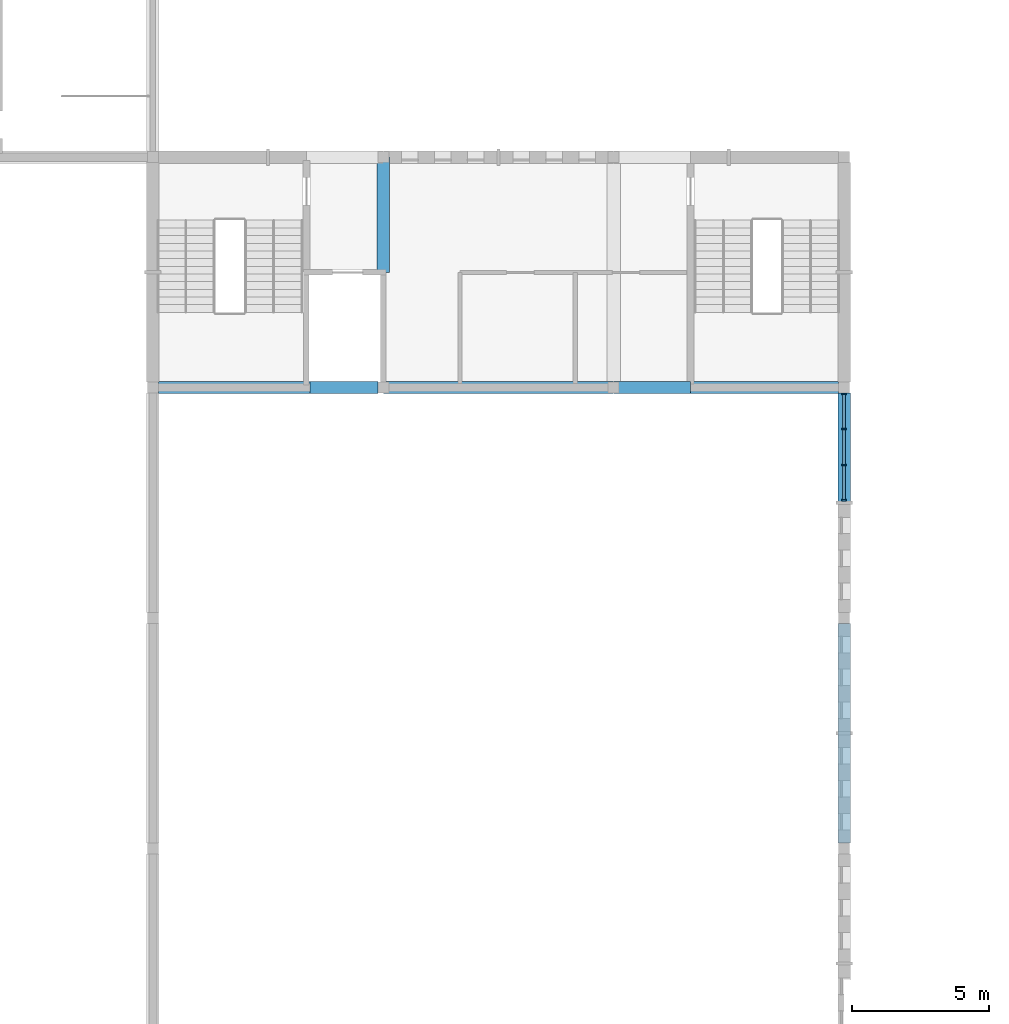
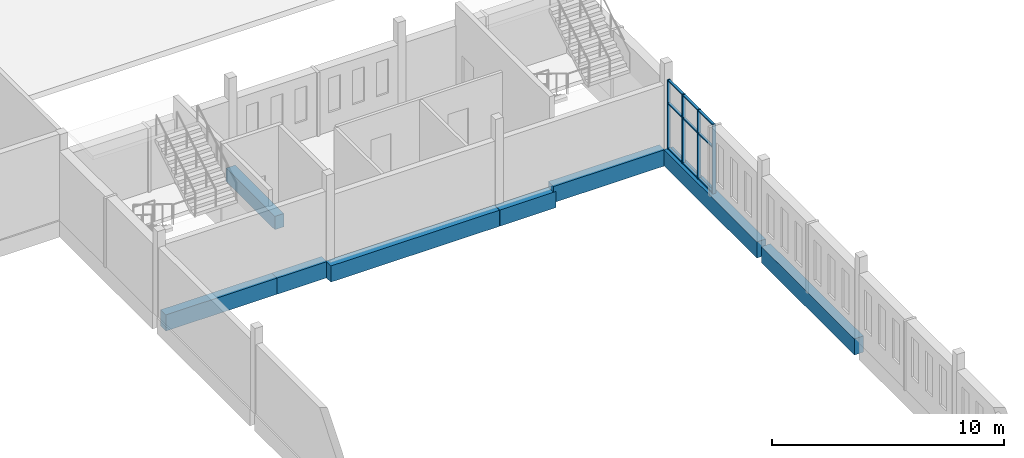
# One storey, part 49 of 101: 13 members, 8 beams, 1 element without a shape of its own.
"""IFC4 building model written with IfcOpenShell, lengths in metres."""

from ifc_helpers import new_model, si_unit, direction, frame, origin, origin_2d, place, context, subcontext, project, spatial, rectangle, extrude, material, material_profile, profile_set, type_object, element, aggregate, save


model = new_model("IFC4")

# Units and contexts
model_context = context("Model", 3, precision=1e-05, world=origin(), true_north=direction((0.0, 1.0)))
body_context = subcontext(model_context, "Body", "Model", "MODEL_VIEW")
ifc_project = project(units=[si_unit("LENGTHUNIT", "METRE"), si_unit("AREAUNIT", "SQUARE_METRE"), si_unit("VOLUMEUNIT", "CUBIC_METRE"), si_unit("PLANEANGLEUNIT", "RADIAN"), si_unit("MASSUNIT", "GRAM", prefix="KILO")], contexts=[model_context])

# Site, building, storey
site_placement = place(None, origin())
site = spatial("IfcSite", under=ifc_project, at=site_placement, CompositionType="ELEMENT")
building_placement = place(site_placement, origin())
building = spatial("IfcBuilding", under=site, at=building_placement, Name="Fescue Hill Polytechnic", CompositionType="ELEMENT")
storey_placement = place(building_placement, frame((0.0, 0.0, 9.0)))
storey = spatial("IfcBuildingStorey", under=building, at=storey_placement, Name="L02", CompositionType="ELEMENT", Elevation=9.0)

# Beams
ifc_material_1 = material(Name="Concrete 35 MPa", Category="concrete")
ifc_material_profile_1 = material_profile(ifc_material_1, rectangle(XDim=0.449951171875, YDim=0.699951171875, at=origin_2d()), Name="RC 450x700")
ifc_profile_set_1 = profile_set([ifc_material_profile_1], Name="Concrete 35 MPa")
beam_type_1 = type_object("IfcBeamType", Name="Beam RC 450x700", PredefinedType="BEAM", material=ifc_profile_set_1)
beam_1_placement = place(storey_placement, frame((126.0, 96.60009765625, -0.64990234375), z_axis=(0.0, 1.0, 0.0), x_axis=(-1.0, 0.0, 0.0)))
element("IfcBeam", 1, at=beam_1_placement, inside=storey, type_object=beam_type_1, Name="BM-L02-0111", PredefinedType="BEAM", context=body_context, shape_type="SweptSolid", body=[
    extrude(rectangle(XDim=0.449951171875, YDim=0.699951171875, at=origin_2d()), origin(), (0.0, 0.0, 1.0), 4.199951171875),
])
ifc_material_profile_2 = material_profile(ifc_material_1, rectangle(XDim=0.449951171875, YDim=0.85009765625, at=origin_2d()), Name="RC 450x850")
ifc_profile_set_2 = profile_set([ifc_material_profile_2], Name="Concrete 35 MPa")
beam_type_2 = type_object("IfcBeamType", Name="Beam RC 450x850", PredefinedType="BEAM", material=ifc_profile_set_2)
beam_2_placement = place(storey_placement, frame((126.0, 92.39990234375, -0.72509765625), z_axis=(1.0, 0.0, 0.0), x_axis=(0.0, 1.0, 0.0)))
element("IfcBeam", 2, at=beam_2_placement, inside=storey, type_object=beam_type_2, Name="BM-L02-0110", PredefinedType="BEAM", context=body_context, shape_type="SweptSolid", body=[
    extrude(rectangle(XDim=0.449951171875, YDim=0.85009765625, at=origin_2d()), origin(), (0.0, 0.0, 1.0), 8.389892578125),
])
beam_3_placement = place(storey_placement, frame((134.409912109375, 92.39990234375, -0.72509765625), z_axis=(1.0, 0.0, 0.0), x_axis=(0.0, 1.0, 0.0)))
element("IfcBeam", 3, at=beam_3_placement, inside=storey, type_object=beam_type_2, Name="BM-L02-0114", PredefinedType="BEAM", context=body_context, shape_type="SweptSolid", body=[
    extrude(rectangle(XDim=0.449951171875, YDim=0.85009765625, at=origin_2d()), origin(), (0.0, 0.0, 1.0), 2.7900390625),
])
beam_4_placement = place(storey_placement, frame((117.800048828125, 92.39990234375, -0.425048828125), z_axis=(1.0, 0.0, 0.0), x_axis=(0.0, 1.0, 0.0)))
element("IfcBeam", 4, at=beam_4_placement, inside=storey, type_object=beam_type_2, Name="BM-L02-0185", PredefinedType="BEAM", context=body_context, shape_type="SweptSolid", body=[
    extrude(rectangle(XDim=0.449951171875, YDim=0.85009765625, at=origin_2d()), origin(), (0.0, 0.0, 1.0), 5.52490234375),
])
beam_5_placement = place(storey_placement, frame((123.324951171875, 92.39990234375, -0.425048828125), z_axis=(1.0, 0.0, 0.0), x_axis=(0.0, 1.0, 0.0)))
element("IfcBeam", 5, at=beam_5_placement, inside=storey, type_object=beam_type_2, Name="BM-L02-0187", PredefinedType="BEAM", context=body_context, shape_type="SweptSolid", body=[
    extrude(rectangle(XDim=0.449951171875, YDim=0.85009765625, at=origin_2d()), origin(), (0.0, 0.0, 1.0), 2.47509765625),
])
beam_6_placement = place(storey_placement, frame((137.074951171875, 92.39990234375, -0.425048828125), z_axis=(1.0, 0.0, 0.0), x_axis=(0.0, 1.0, 0.0)))
element("IfcBeam", 6, at=beam_6_placement, inside=storey, type_object=beam_type_2, Name="BM-L02-0199", PredefinedType="BEAM", context=body_context, shape_type="SweptSolid", body=[
    extrude(rectangle(XDim=0.449951171875, YDim=0.85009765625, at=origin_2d()), origin(), (0.0, 0.0, 1.0), 5.525146484375),
])
for number, where, z_axis, x_axis, name in (
    (7, (142.800048828125, 75.800048828125, -0.425048828125), (0.0, 1.0, 0.0), (-1.0, 0.0, 0.0), "BM-L02-0204"),
    (8, (142.800048828125, 84.199951171875, -0.425048828125), (0.0, 1.0, 0.0), (-1.0, 0.0, 0.0), "BM-L02-0205"),
):
    element("IfcBeam", number, at=place(storey_placement, frame(where, z_axis=z_axis, x_axis=x_axis)), inside=storey, type_object=beam_type_2, Name=name, PredefinedType="BEAM", context=body_context, shape_type="SweptSolid", body=[
        extrude(rectangle(XDim=0.449951171875, YDim=0.85009765625, at=origin_2d()), origin(), (0.0, 0.0, 1.0), 8.0),
    ])

# Curtain wall, members
ifc_material_2 = material(Name="Glass", Category="glass")
curtain_wall_type = type_object("IfcCurtainWallType", Name="Curtain wall structural glazing", PredefinedType="NOTDEFINED", material=ifc_material_2)
curtain_wall_placement = place(storey_placement, origin())
curtain_wall = element("IfcCurtainWall", 9, at=curtain_wall_placement, inside=storey, type_object=curtain_wall_type, Name="CW-L02-V2-X1", PredefinedType="NOTDEFINED")
ifc_material_3 = material(Name="Powder-coated aluminium", Category="aluminium")
ifc_material_profile_3 = material_profile(ifc_material_3, rectangle(XDim=0.159912109375, YDim=0.06005859375, at=origin_2d()), Name="Mullion aluminium 60x160")
ifc_profile_set_3 = profile_set([ifc_material_profile_3], Name="Powder-coated aluminium")
member_type_1 = type_object("IfcMemberType", Name="Mullion aluminium 60x160", PredefinedType="MULLION", material=ifc_profile_set_3)
member_1_placement = place(storey_placement, frame((142.800048828125, 88.2900390625, 0.0), z_axis=(0.0, 0.0, 1.0), x_axis=(-1.0, 0.0, 0.0)))
member_1 = element("IfcMember", 10, at=member_1_placement, type_object=member_type_1, Name="CW121 mullion 1", PredefinedType="MULLION", context=body_context, shape_type="SweptSolid", body=[
    extrude(rectangle(XDim=0.159912109375, YDim=0.06005859375, at=origin_2d()), origin(), (0.0, 0.0, 1.0), 3.6298828125),
])
member_2_placement = place(storey_placement, frame((142.800048828125, 89.5732421875, 0.0), z_axis=(0.0, 0.0, 1.0), x_axis=(-1.0, 0.0, 0.0)))
member_2 = element("IfcMember", 11, at=member_2_placement, type_object=member_type_1, Name="CW121 mullion 2", PredefinedType="MULLION", context=body_context, shape_type="SweptSolid", body=[
    extrude(rectangle(XDim=0.159912109375, YDim=0.06005859375, at=origin_2d()), origin(), (0.0, 0.0, 1.0), 3.6298828125),
])
member_3_placement = place(storey_placement, frame((142.800048828125, 90.88671875, 0.0), z_axis=(0.0, 0.0, 1.0), x_axis=(-1.0, 0.0, 0.0)))
member_3 = element("IfcMember", 12, at=member_3_placement, type_object=member_type_1, Name="CW121 mullion 3", PredefinedType="MULLION", context=body_context, shape_type="SweptSolid", body=[
    extrude(rectangle(XDim=0.159912109375, YDim=0.06005859375, at=origin_2d()), origin(), (0.0, 0.0, 1.0), 3.6298828125),
])
member_4_placement = place(storey_placement, frame((142.800048828125, 92.169921875, 0.0), z_axis=(0.0, 0.0, 1.0), x_axis=(-1.0, 0.0, 0.0)))
member_4 = element("IfcMember", 13, at=member_4_placement, type_object=member_type_1, Name="CW121 mullion 4", PredefinedType="MULLION", context=body_context, shape_type="SweptSolid", body=[
    extrude(rectangle(XDim=0.159912109375, YDim=0.06005859375, at=origin_2d()), origin(), (0.0, 0.0, 1.0), 3.6298828125),
])
ifc_material_profile_4 = material_profile(ifc_material_3, rectangle(XDim=0.1201171875, YDim=0.06005859375, at=origin_2d()), Name="Transom aluminium 60x120")
ifc_profile_set_4 = profile_set([ifc_material_profile_4], Name="Powder-coated aluminium")
member_type_2 = type_object("IfcMemberType", Name="Transom aluminium 60x120", PredefinedType="USERDEFINED", material=ifc_profile_set_4)
member_5_placement = place(storey_placement, frame((142.800048828125, 88.320068359375, 0.030029296875), z_axis=(0.0, 1.0, 0.0), x_axis=(-1.0, 0.0, 0.0)))
member_5 = element("IfcMember", 14, at=member_5_placement, type_object=member_type_2, Name="CW121 transom 1.1", ObjectType="TRANSOM", PredefinedType="USERDEFINED", context=body_context, shape_type="SweptSolid", body=[
    extrude(rectangle(XDim=0.1201171875, YDim=0.06005859375, at=origin_2d()), origin(), (0.0, 0.0, 1.0), 1.22314453125),
])
member_6_placement = place(storey_placement, frame((142.800048828125, 88.320068359375, 2.39990234375), z_axis=(0.0, 1.0, 0.0), x_axis=(-1.0, 0.0, 0.0)))
member_6 = element("IfcMember", 15, at=member_6_placement, type_object=member_type_2, Name="CW121 transom 1.2", ObjectType="TRANSOM", PredefinedType="USERDEFINED", context=body_context, shape_type="SweptSolid", body=[
    extrude(rectangle(XDim=0.1201171875, YDim=0.06005859375, at=origin_2d()), origin(), (0.0, 0.0, 1.0), 1.22314453125),
])
member_7_placement = place(storey_placement, frame((142.800048828125, 88.320068359375, 3.60009765625), z_axis=(0.0, 1.0, 0.0), x_axis=(-1.0, 0.0, 0.0)))
member_7 = element("IfcMember", 16, at=member_7_placement, type_object=member_type_2, Name="CW121 transom 1.3", ObjectType="TRANSOM", PredefinedType="USERDEFINED", context=body_context, shape_type="SweptSolid", body=[
    extrude(rectangle(XDim=0.1201171875, YDim=0.06005859375, at=origin_2d()), origin(), (0.0, 0.0, 1.0), 1.22314453125),
])
member_8_placement = place(storey_placement, frame((142.800048828125, 89.603271484375, 0.030029296875), z_axis=(0.0, 1.0, 0.0), x_axis=(-1.0, 0.0, 0.0)))
member_8 = element("IfcMember", 17, at=member_8_placement, type_object=member_type_2, Name="CW121 transom 2.1", ObjectType="TRANSOM", PredefinedType="USERDEFINED", context=body_context, shape_type="SweptSolid", body=[
    extrude(rectangle(XDim=0.1201171875, YDim=0.06005859375, at=origin_2d()), origin(), (0.0, 0.0, 1.0), 1.25341796875),
])
member_9_placement = place(storey_placement, frame((142.800048828125, 89.603271484375, 2.39990234375), z_axis=(0.0, 1.0, 0.0), x_axis=(-1.0, 0.0, 0.0)))
member_9 = element("IfcMember", 18, at=member_9_placement, type_object=member_type_2, Name="CW121 transom 2.2", ObjectType="TRANSOM", PredefinedType="USERDEFINED", context=body_context, shape_type="SweptSolid", body=[
    extrude(rectangle(XDim=0.1201171875, YDim=0.06005859375, at=origin_2d()), origin(), (0.0, 0.0, 1.0), 1.25341796875),
])
member_10_placement = place(storey_placement, frame((142.800048828125, 89.603271484375, 3.60009765625), z_axis=(0.0, 1.0, 0.0), x_axis=(-1.0, 0.0, 0.0)))
member_10 = element("IfcMember", 19, at=member_10_placement, type_object=member_type_2, Name="CW121 transom 2.3", ObjectType="TRANSOM", PredefinedType="USERDEFINED", context=body_context, shape_type="SweptSolid", body=[
    extrude(rectangle(XDim=0.1201171875, YDim=0.06005859375, at=origin_2d()), origin(), (0.0, 0.0, 1.0), 1.25341796875),
])
member_11_placement = place(storey_placement, frame((142.800048828125, 90.916748046875, 0.030029296875), z_axis=(0.0, 1.0, 0.0), x_axis=(-1.0, 0.0, 0.0)))
member_11 = element("IfcMember", 20, at=member_11_placement, type_object=member_type_2, Name="CW121 transom 3.1", ObjectType="TRANSOM", PredefinedType="USERDEFINED", context=body_context, shape_type="SweptSolid", body=[
    extrude(rectangle(XDim=0.1201171875, YDim=0.06005859375, at=origin_2d()), origin(), (0.0, 0.0, 1.0), 1.22314453125),
])
member_12_placement = place(storey_placement, frame((142.800048828125, 90.916748046875, 2.39990234375), z_axis=(0.0, 1.0, 0.0), x_axis=(-1.0, 0.0, 0.0)))
member_12 = element("IfcMember", 21, at=member_12_placement, type_object=member_type_2, Name="CW121 transom 3.2", ObjectType="TRANSOM", PredefinedType="USERDEFINED", context=body_context, shape_type="SweptSolid", body=[
    extrude(rectangle(XDim=0.1201171875, YDim=0.06005859375, at=origin_2d()), origin(), (0.0, 0.0, 1.0), 1.22314453125),
])
member_13_placement = place(storey_placement, frame((142.800048828125, 90.916748046875, 3.60009765625), z_axis=(0.0, 1.0, 0.0), x_axis=(-1.0, 0.0, 0.0)))
member_13 = element("IfcMember", 22, at=member_13_placement, type_object=member_type_2, Name="CW121 transom 3.3", ObjectType="TRANSOM", PredefinedType="USERDEFINED", context=body_context, shape_type="SweptSolid", body=[
    extrude(rectangle(XDim=0.1201171875, YDim=0.06005859375, at=origin_2d()), origin(), (0.0, 0.0, 1.0), 1.22314453125),
])
aggregate(curtain_wall, [member_1, member_2, member_3, member_4, member_5, member_6, member_7, member_8, member_9, member_10, member_11, member_12, member_13])

save(model, "model.ifc")
